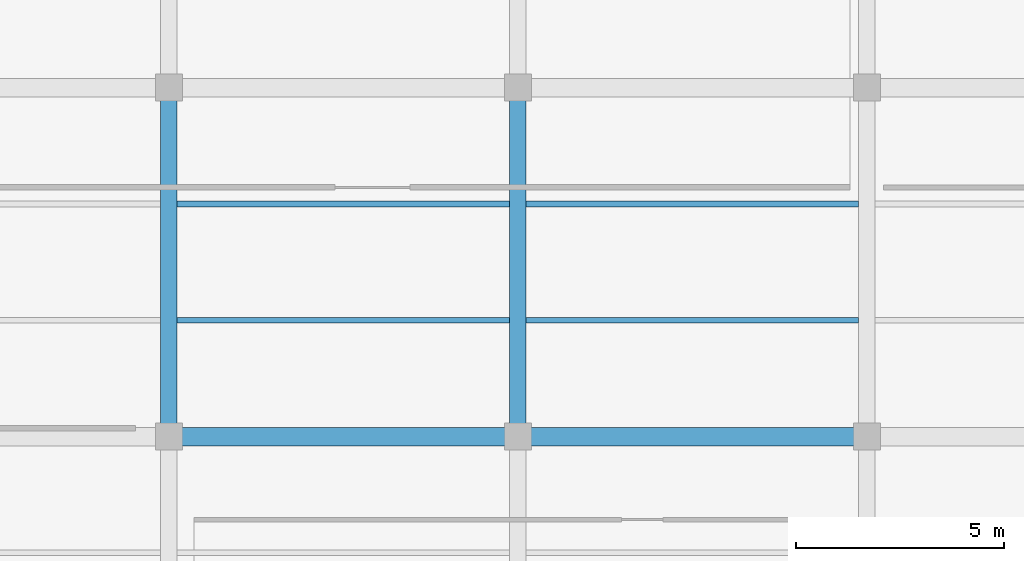
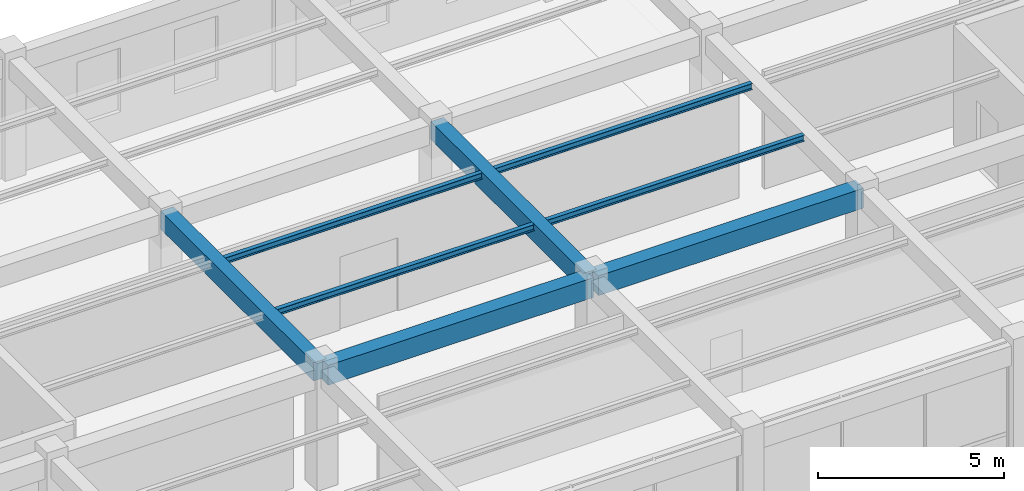
# One storey, part 15 of 138: 8 beams.
"""IFC4 building model written with IfcOpenShell, lengths in metres."""

import ifcopenshell
import ifcopenshell.guid

model = None  # the IFC model being written
_history = None  # IfcOwnerHistory: only IFC2X3 demands one
_inside = {}  # id of a spatial element -> (the spatial element, [elements in it])
_under = {}  # id of a project, library or spatial element -> (it, [spatial elements below it])
_declared = {}  # id of a project -> (the project, [libraries it declares])
_typed = {}  # id of a type object -> (the type object, [elements of that type])
_made_of = {}  # id of a material, layer set ... -> (it, [elements and type objects made of it])


def new_model(schema):
    """Start an empty IFC model of exactly this schema.

    Asked for "IFC4X3", IfcOpenShell would pick the latest addendum, in which some entities
    have other attributes; the version numbers below select the first issue.
    IFC2X3 requires an IfcOwnerHistory on every rooted entity: one is made here for all.
    """
    global model, _history
    if schema == "IFC4X3":
        model = ifcopenshell.file(schema_version=(4, 3, 0, 0))
    else:
        model = ifcopenshell.file(schema=schema)
    _inside.clear()
    _under.clear()
    _declared.clear()
    _typed.clear()
    _made_of.clear()
    _history = None
    if model.schema == "IFC2X3":
        org = make("IfcOrganization", Name="unknown")
        user = make(
            "IfcPersonAndOrganization",
            ThePerson=make("IfcPerson", FamilyName="unknown"),
            TheOrganization=org,
        )
        app = make(
            "IfcApplication",
            ApplicationDeveloper=org,
            Version="unknown",
            ApplicationFullName="unknown",
            ApplicationIdentifier="unknown",
        )
        _history = make(
            "IfcOwnerHistory",
            OwningUser=user,
            OwningApplication=app,
            ChangeAction="ADDED",
            CreationDate=0,
        )
    return model


def make(cls, **values):
    """One entity of the class cls with the attributes given. An attribute that is None is left unset."""
    return model.create_entity(
        cls, **{name: value for name, value in values.items() if value is not None}
    )


def rooted(cls, **values):
    """An entity with a GlobalId (a new one), such as an element, a storey or a relation."""
    return make(cls, GlobalId=ifcopenshell.guid.new(), OwnerHistory=_history, **values)


def si_unit(unit_type, name, prefix=None):
    """IfcSIUnit, for example si_unit("LENGTHUNIT", "METRE", prefix="MILLI")."""
    return make("IfcSIUnit", UnitType=unit_type, Prefix=prefix, Name=name)


def assignment(units):
    """IfcUnitAssignment: the units of a project."""
    return None if units is None else make("IfcUnitAssignment", Units=units)


def point(xyz):
    """IfcCartesianPoint."""
    return None if xyz is None else make("IfcCartesianPoint", Coordinates=xyz)


def direction(xyz):
    """IfcDirection."""
    return None if xyz is None else make("IfcDirection", DirectionRatios=xyz)


def frame(location, z_axis=None, x_axis=None):
    """IfcAxis2Placement3D, a coordinate frame: its origin and axes. An axis left out is left unset."""
    return make(
        "IfcAxis2Placement3D",
        Location=point(location),
        Axis=direction(z_axis),
        RefDirection=direction(x_axis),
    )


def frame_2d(location, x_axis=None):
    """IfcAxis2Placement2D, a coordinate frame in the plane: its origin and x axis."""
    return make(
        "IfcAxis2Placement2D", Location=point(location), RefDirection=direction(x_axis)
    )


def origin():
    """The frame at (0, 0, 0) with its axes left unset."""
    return frame((0.0, 0.0, 0.0))


def origin_2d():
    """The frame at (0, 0) in the plane with its x axis left unset."""
    return frame_2d((0.0, 0.0))


def place(relative_to, where):
    """IfcLocalPlacement: puts the frame where relative to a parent placement (None: the world)."""
    return make(
        "IfcLocalPlacement", PlacementRelTo=relative_to, RelativePlacement=where
    )


def context(
    kind, dimensions, precision=None, world=None, true_north=None, identifier=None
):
    """IfcGeometricRepresentationContext, for example the 3D "Model" context."""
    return make(
        "IfcGeometricRepresentationContext",
        ContextIdentifier=identifier,
        ContextType=kind,
        CoordinateSpaceDimension=dimensions,
        Precision=precision,
        WorldCoordinateSystem=world,
        TrueNorth=true_north,
    )


def subcontext(parent, identifier, kind, view, scale=None):
    """IfcGeometricRepresentationSubContext, for example "Body" below "Model"."""
    return make(
        "IfcGeometricRepresentationSubContext",
        ContextIdentifier=identifier,
        ContextType=kind,
        ParentContext=parent,
        TargetScale=scale,
        TargetView=view,
    )


def project(units=None, contexts=None):
    """IfcProject with its units and contexts."""
    return rooted(
        "IfcProject",
        Name="project",
        RepresentationContexts=contexts,
        UnitsInContext=assignment(units),
    )


def spatial(cls, under=None, at=None, **own):
    """A site, building, storey or space (cls), placed at a placement, below another one or the project."""
    s = rooted(cls, ObjectPlacement=at, **own)
    if under is not None:
        _under.setdefault(under.id(), (under, []))[1].append(s)
    return s


def profile(cls, at=None, kind="AREA", **sizes):
    """A parametric profile (cls). Its sizes go by their IFC names, for example OverallWidth=200.0."""
    return make(cls, ProfileType=kind, Position=at, **sizes)


def rectangle(**sizes):
    """IfcRectangleProfileDef."""
    return profile("IfcRectangleProfileDef", **sizes)


def i_section(**sizes):
    """IfcIShapeProfileDef."""
    return profile("IfcIShapeProfileDef", **sizes)


def extrude(swept, where, along, depth):
    """IfcExtrudedAreaSolid: the profile swept, set in the frame where, extruded along a direction by depth."""
    return make(
        "IfcExtrudedAreaSolid",
        SweptArea=swept,
        Position=where,
        ExtrudedDirection=direction(along),
        Depth=depth,
    )


def shape(context_of_items, identifier, shape_type, items):
    """IfcShapeRepresentation: the items that make up one representation, for example the "Body"."""
    return make(
        "IfcShapeRepresentation",
        ContextOfItems=context_of_items,
        RepresentationIdentifier=identifier,
        RepresentationType=shape_type,
        Items=items,
    )


def material(Name=None, Category=None):
    """IfcMaterial."""
    return make("IfcMaterial", Name=Name, Category=Category)


def material_profile(
    of_material, cross_section, Name=None, Category=None, Priority=None
):
    """IfcMaterialProfile: a cross section and its material."""
    return make(
        "IfcMaterialProfile",
        Name=Name,
        Material=of_material,
        Profile=cross_section,
        Priority=Priority,
        Category=Category,
    )


def profile_set(profiles, Name=None, composite=None):
    """IfcMaterialProfileSet."""
    return make(
        "IfcMaterialProfileSet",
        Name=Name,
        MaterialProfiles=profiles,
        CompositeProfile=composite,
    )


def made_of(thing, what):
    """Note that an element or type object is made of a material, layer set ...; save() writes the relation."""
    if what is not None:
        _made_of.setdefault(what.id(), (what, []))[1].append(thing)
    return thing


def type_object(cls, material=None, **own):
    """A type object (cls), such as IfcWallType, which elements share."""
    return made_of(rooted(cls, **own), material)


def element(
    cls,
    number,
    at=None,
    inside=None,
    cuts=None,
    type_object=None,
    material=None,
    context=None,
    identifier="Body",
    shape_type=None,
    held_by="IfcProductDefinitionShape",
    body=None,
    shapes=None,
    **own,
):
    """One element of the class cls, such as IfcWall. Its Tag is "e" and its number.

    at: its placement. inside: the storey or other place that contains it. cuts: it is an
    opening in that element (IfcRelVoidsElement). A single representation is given by context,
    identifier, shape_type and body (its items); several are given by shapes. held_by: the class
    of the entity that holds the representations. save() writes the other relations.
    """
    e = rooted(cls, Tag="e%d" % number, ObjectPlacement=at, **own)
    if body is not None:
        shapes = [shape(context, identifier, shape_type, body)]
    if shapes is not None:
        e.Representation = make(held_by, Representations=shapes)
    if inside is not None:
        _inside.setdefault(inside.id(), (inside, []))[1].append(e)
    if cuts is not None:
        rooted(
            "IfcRelVoidsElement", RelatingBuildingElement=cuts, RelatedOpeningElement=e
        )
    if type_object is not None:
        _typed.setdefault(type_object.id(), (type_object, []))[1].append(e)
    return made_of(e, material)


def aggregate(whole, parts):
    """IfcRelAggregates: a whole, such as a stair, and the parts it consists of."""
    return rooted("IfcRelAggregates", RelatingObject=whole, RelatedObjects=parts)


def save(model, path):
    """Write the relations noted so far, then the file.

    IfcRelAggregates (storeys below a building ...), IfcRelContainedInSpatialStructure (elements
    in a storey), IfcRelDefinesByType, IfcRelAssociatesMaterial and IfcRelDeclares: one each for
    every whole, place, type object, material and project.
    """
    for whole, parts in _under.values():
        aggregate(whole, parts)
    for where, things in _inside.values():
        rooted(
            "IfcRelContainedInSpatialStructure",
            RelatedElements=things,
            RelatingStructure=where,
        )
    for kind, things in _typed.values():
        rooted("IfcRelDefinesByType", RelatedObjects=things, RelatingType=kind)
    for what, things in _made_of.values():
        rooted("IfcRelAssociatesMaterial", RelatedObjects=things, RelatingMaterial=what)
    for by, libraries in _declared.values():
        rooted("IfcRelDeclares", RelatingContext=by, RelatedDefinitions=libraries)
    model.write(path)


model = new_model("IFC4")

# Units and contexts
model_context = context("Model", 3, precision=1e-05, world=origin(), true_north=direction((0.0, 1.0)))
body_context = subcontext(model_context, "Body", "Model", "MODEL_VIEW")
ifc_project = project(units=[si_unit("LENGTHUNIT", "METRE"), si_unit("AREAUNIT", "SQUARE_METRE"), si_unit("VOLUMEUNIT", "CUBIC_METRE"), si_unit("PLANEANGLEUNIT", "RADIAN"), si_unit("MASSUNIT", "GRAM", prefix="KILO"), si_unit("THERMODYNAMICTEMPERATUREUNIT", "KELVIN"), si_unit("POWERUNIT", "WATT")], contexts=[model_context])

# Site, building, storey
site_placement = place(None, origin())
site = spatial("IfcSite", under=ifc_project, at=site_placement, CompositionType="ELEMENT")
building_placement = place(site_placement, origin())
building = spatial("IfcBuilding", under=site, at=building_placement, Name="Darbajah Civic Hall", CompositionType="ELEMENT")
storey_placement = place(building_placement, frame((0.0, 0.0, 9.60009765625)))
storey = spatial("IfcBuildingStorey", under=building, at=storey_placement, Name="L02", CompositionType="ELEMENT", Elevation=9.60009765625)

# Beams
ifc_material_1 = material(Name="Concrete C45/55", Category="concrete")
ifc_material_profile_1 = material_profile(ifc_material_1, rectangle(XDim=0.39990234375, YDim=0.60009765625, at=origin_2d()), Name="RC BEAM 400x600")
ifc_profile_set_1 = profile_set([ifc_material_profile_1], Name="Concrete C45/55")
beam_type_1 = type_object("IfcBeamType", Name="RC BEAM 400x600", PredefinedType="BEAM", material=ifc_profile_set_1)
for number, where, z_axis, x_axis, name in (
    (1, (16.800048828125, 25.280029296875, 3.639892578125), (0.0, 1.0, 0.0), (-1.0, 0.0, 0.0), "L02 beam BM-4060"),
    (2, (25.199951171875, 25.280029296875, 3.639892578125), (0.0, 1.0, 0.0), (-1.0, 0.0, 0.0), "L02 beam BM-4060"),
):
    element("IfcBeam", number, at=place(storey_placement, frame(where, z_axis=z_axis, x_axis=x_axis)), inside=storey, type_object=beam_type_1, Name=name, PredefinedType="BEAM", context=body_context, shape_type="SweptSolid", body=[
        extrude(rectangle(XDim=0.39990234375, YDim=0.60009765625, at=origin_2d()), origin(), (0.0, 0.0, 1.0), 8.239990234375),
    ])
ifc_material_profile_2 = material_profile(ifc_material_1, rectangle(XDim=0.449951171875, YDim=0.64990234375, at=origin_2d()), Name="RC BEAM 450x650")
ifc_profile_set_2 = profile_set([ifc_material_profile_2], Name="Concrete C45/55")
beam_type_2 = type_object("IfcBeamType", Name="RC BEAM 450x650", PredefinedType="BEAM", material=ifc_profile_set_2)
beam_1_placement = place(storey_placement, frame((16.8798828125, 25.199951171875, 3.614990234375), z_axis=(1.0, 0.0, 0.0), x_axis=(0.0, 1.0, 0.0)))
element("IfcBeam", 3, at=beam_1_placement, inside=storey, type_object=beam_type_2, Name="L02 beam BM-4565", PredefinedType="BEAM", context=body_context, shape_type="SweptSolid", body=[
    extrude(rectangle(XDim=0.449951171875, YDim=0.64990234375, at=origin_2d()), origin(), (0.0, 0.0, 1.0), 8.240234375),
])
beam_2_placement = place(storey_placement, frame((25.280029296875, 25.199951171875, 3.614990234375), z_axis=(1.0, 0.0, 0.0), x_axis=(0.0, 1.0, 0.0)))
element("IfcBeam", 4, at=beam_2_placement, inside=storey, type_object=beam_type_2, Name="L02 beam BM-4565", PredefinedType="BEAM", context=body_context, shape_type="SweptSolid", body=[
    extrude(rectangle(XDim=0.449951171875, YDim=0.64990234375, at=origin_2d()), origin(), (0.0, 0.0, 1.0), 8.239990234375),
])
ifc_material_2 = material(Name="Steel S355JR", Category="steel")
ifc_material_profile_3 = material_profile(ifc_material_2, i_section(OverallWidth=0.1337890625, OverallDepth=0.206787109375, WebThickness=0.00634765625, FlangeThickness=0.009521484375, FilletRadius=0.007568359375, at=origin_2d()), Name="UB 203x133x30")
ifc_profile_set_3 = profile_set([ifc_material_profile_3], Name="Steel S355JR")
beam_type_3 = type_object("IfcBeamType", Name="UB 203x133x30", PredefinedType="JOIST", material=ifc_profile_set_3)
for number, where, z_axis, x_axis, name in (
    (5, (17.0, 28.0, 3.83642578125), (1.0, 0.0, 0.0), (0.0, 1.0, 0.0), "L02 beam SJ-203"),
    (6, (17.0, 30.800048828125, 3.83642578125), (1.0, 0.0, 0.0), (0.0, 1.0, 0.0), "L02 beam SJ-203"),
    (7, (25.39990234375, 28.0, 3.83642578125), (1.0, 0.0, 0.0), (0.0, 1.0, 0.0), "L02 beam SJ-203"),
    (8, (25.39990234375, 30.800048828125, 3.83642578125), (1.0, 0.0, 0.0), (0.0, 1.0, 0.0), "L02 beam SJ-203"),
):
    element("IfcBeam", number, at=place(storey_placement, frame(where, z_axis=z_axis, x_axis=x_axis)), inside=storey, type_object=beam_type_3, Name=name, PredefinedType="JOIST", context=body_context, shape_type="SweptSolid", body=[
        extrude(i_section(OverallWidth=0.1337890625, OverallDepth=0.206787109375, WebThickness=0.00634765625, FlangeThickness=0.009521484375, FilletRadius=0.007568359375, at=origin_2d()), origin(), (0.0, 0.0, 1.0), 8.0),
    ])

save(model, "model.ifc")
